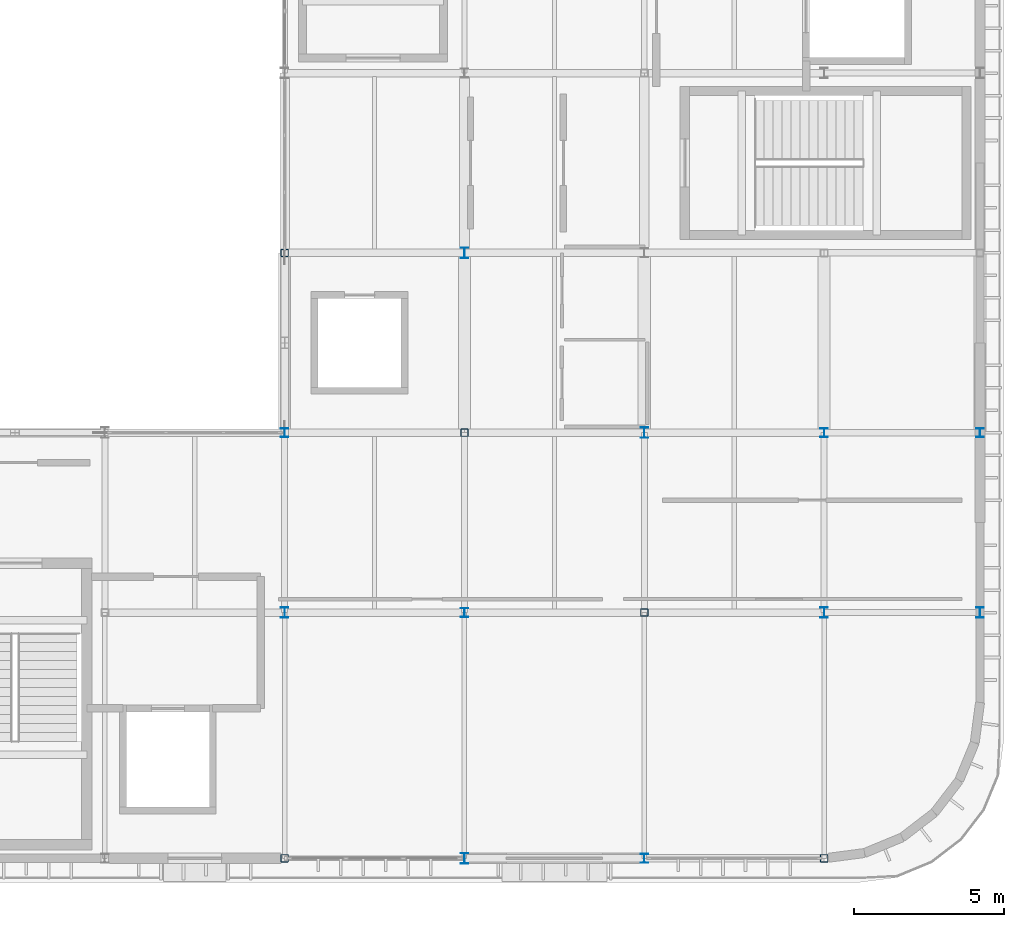
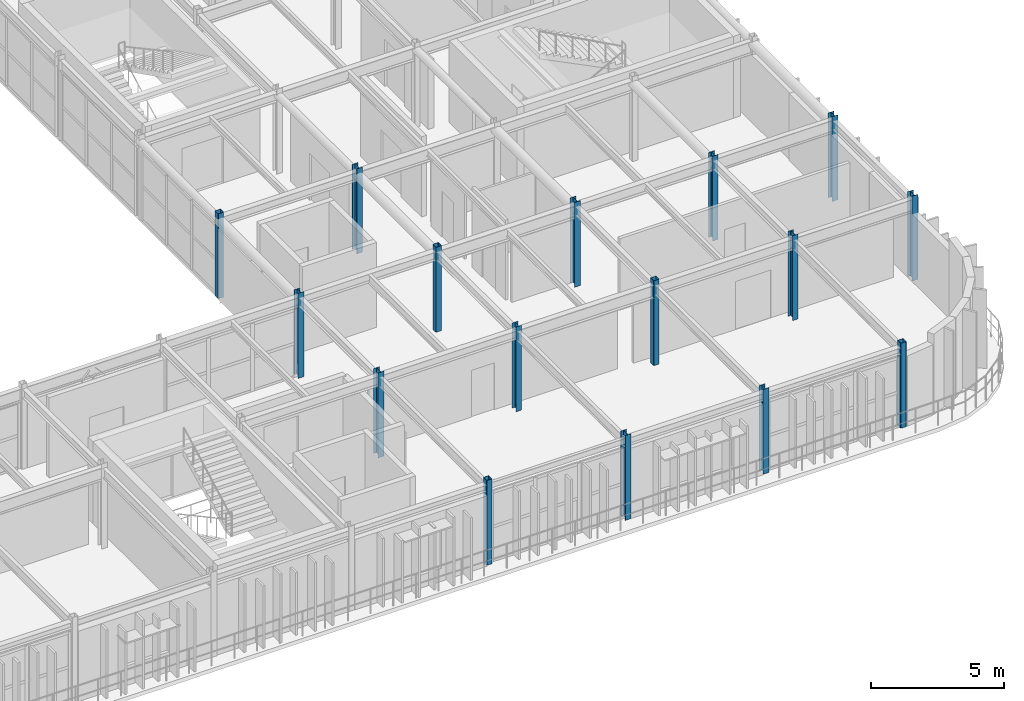
# One storey, part 6 of 63: 16 columns.
"""IFC4 building model written with IfcOpenShell, lengths in metres."""

from ifc_helpers import new_model, si_unit, direction, frame, origin, origin_2d, place, context, subcontext, project, spatial, hollow_rectangle, i_section, extrude, material, material_profile, profile_set, type_object, element, save


model = new_model("IFC4")

# Units and contexts
model_context = context("Model", 3, precision=1e-05, world=origin(), true_north=direction((0.0, 1.0)))
body_context = subcontext(model_context, "Body", "Model", "MODEL_VIEW")
ifc_project = project(units=[si_unit("LENGTHUNIT", "METRE"), si_unit("AREAUNIT", "SQUARE_METRE"), si_unit("VOLUMEUNIT", "CUBIC_METRE"), si_unit("PLANEANGLEUNIT", "RADIAN"), si_unit("MASSUNIT", "GRAM", prefix="KILO")], contexts=[model_context])

# Site, building, storey
site_placement = place(None, origin())
site = spatial("IfcSite", under=ifc_project, at=site_placement, CompositionType="ELEMENT")
building_placement = place(site_placement, origin())
building = spatial("IfcBuilding", under=site, at=building_placement, Name="Varnakota Square Police Headquarters", CompositionType="ELEMENT")
storey_placement = place(building_placement, frame((0.0, 0.0, 22.199951171875)))
storey = spatial("IfcBuildingStorey", under=building, at=storey_placement, Name="L05", CompositionType="ELEMENT", Elevation=22.199951171875)

# Columns
ifc_material = material(Name="Steel IS 2062 Grade 350", Category="steel")
ifc_material_profile_1 = material_profile(ifc_material, i_section(OverallWidth=0.25, OverallDepth=0.300048828125, WebThickness=0.009521484375, FlangeThickness=0.010498046875, FilletRadius=0.011962890625, at=origin_2d()), Name="ISHB 300")
ifc_profile_set_1 = profile_set([ifc_material_profile_1], Name="Steel IS 2062 Grade 350")
column_type_1 = type_object("IfcColumnType", Name="COL-ISHB300", PredefinedType="COLUMN", material=ifc_profile_set_1)
for number, where, z_axis, x_axis, name in (
    (1, (138.0, 15.0, 0.0), (0.0, 0.0, 1.0), (1.0, 0.0, 0.0), "Column X1380-Y0150 L05"),
    (2, (144.0, 9.0, 0.0), (0.0, 0.0, 1.0), (1.0, 0.0, 0.0), "Column X1440-Y0090 L05"),
    (3, (150.0, 0.800048828125, 0.0), (0.0, 0.0, 1.0), (1.0, 0.0, 0.0), "Column X1500-Y0008 L05"),
    (4, (156.0, 15.0, 0.0), (0.0, 0.0, 1.0), (1.0, 0.0, 0.0), "Column X1560-Y0150 L05"),
    (5, (161.199951171875, 15.0, 0.0), (0.0, 0.0, 1.0), (1.0, 0.0, 0.0), "Column X1612-Y0150 L05"),
):
    element("IfcColumn", number, at=place(storey_placement, frame(where, z_axis=z_axis, x_axis=x_axis)), inside=storey, type_object=column_type_1, Name=name, PredefinedType="COLUMN", context=body_context, shape_type="SweptSolid", body=[
        extrude(i_section(OverallWidth=0.25, OverallDepth=0.300048828125, WebThickness=0.009521484375, FlangeThickness=0.010498046875, FilletRadius=0.011962890625, at=origin_2d()), origin(), (0.0, 0.0, 1.0), 3.900146484375),
    ])
ifc_material_profile_2 = material_profile(ifc_material, i_section(OverallWidth=0.25, OverallDepth=0.35009765625, WebThickness=0.010009765625, FlangeThickness=0.01171875, FilletRadius=0.011962890625, at=origin_2d()), Name="ISHB 350")
ifc_profile_set_2 = profile_set([ifc_material_profile_2], Name="Steel IS 2062 Grade 350")
column_type_2 = type_object("IfcColumnType", Name="COL-ISHB350", PredefinedType="COLUMN", material=ifc_profile_set_2)
for number, where, z_axis, x_axis, name in (
    (6, (138.0, 9.0, 0.0), (0.0, 0.0, 1.0), (1.0, 0.0, 0.0), "Column X1380-Y0090 L05"),
    (7, (144.0, 0.800048828125, 0.0), (0.0, 0.0, 1.0), (1.0, 0.0, 0.0), "Column X1440-Y0008 L05"),
    (8, (144.0, 21.0, 0.0), (0.0, 0.0, 1.0), (1.0, 0.0, 0.0), "Column X1440-Y0210 L05"),
    (9, (150.0, 15.0, 0.0), (0.0, 0.0, 1.0), (1.0, 0.0, 0.0), "Column X1500-Y0150 L05"),
    (10, (156.0, 9.0, 0.0), (0.0, 0.0, 1.0), (1.0, 0.0, 0.0), "Column X1560-Y0090 L05"),
    (11, (161.199951171875, 9.0, 0.0), (0.0, 0.0, 1.0), (1.0, 0.0, 0.0), "Column X1612-Y0090 L05"),
):
    element("IfcColumn", number, at=place(storey_placement, frame(where, z_axis=z_axis, x_axis=x_axis)), inside=storey, type_object=column_type_2, Name=name, PredefinedType="COLUMN", context=body_context, shape_type="SweptSolid", body=[
        extrude(i_section(OverallWidth=0.25, OverallDepth=0.35009765625, WebThickness=0.010009765625, FlangeThickness=0.01171875, FilletRadius=0.011962890625, at=origin_2d()), origin(), (0.0, 0.0, 1.0), 3.900146484375),
    ])
ifc_material_profile_3 = material_profile(ifc_material, hollow_rectangle(XDim=0.25, YDim=0.25, WallThickness=0.011962890625, InnerFilletRadius=0.011962890625, OuterFilletRadius=0.02392578125, at=origin_2d()), Name="SHS 250x250x12")
ifc_profile_set_3 = profile_set([ifc_material_profile_3], Name="Steel IS 2062 Grade 350")
column_type_3 = type_object("IfcColumnType", Name="COL-SHS250", PredefinedType="COLUMN", material=ifc_profile_set_3)
for number, where, z_axis, x_axis, name in (
    (12, (138.0, 0.800048828125, 0.0), (0.0, 0.0, 1.0), (1.0, 0.0, 0.0), "Column X1380-Y0008 L05"),
    (13, (138.0, 21.0, 0.0), (0.0, 0.0, 1.0), (1.0, 0.0, 0.0), "Column X1380-Y0210 L05"),
    (14, (144.0, 15.0, 0.0), (0.0, 0.0, 1.0), (1.0, 0.0, 0.0), "Column X1440-Y0150 L05"),
    (15, (150.0, 9.0, 0.0), (0.0, 0.0, 1.0), (1.0, 0.0, 0.0), "Column X1500-Y0090 L05"),
    (16, (156.0, 0.800048828125, 0.0), (0.0, 0.0, 1.0), (1.0, 0.0, 0.0), "Column X1560-Y0008 L05"),
):
    element("IfcColumn", number, at=place(storey_placement, frame(where, z_axis=z_axis, x_axis=x_axis)), inside=storey, type_object=column_type_3, Name=name, PredefinedType="COLUMN", context=body_context, shape_type="SweptSolid", body=[
        extrude(hollow_rectangle(XDim=0.25, YDim=0.25, WallThickness=0.011962890625, InnerFilletRadius=0.011962890625, OuterFilletRadius=0.02392578125, at=origin_2d()), origin(), (0.0, 0.0, 1.0), 3.900146484375),
    ])

save(model, "model.ifc")
